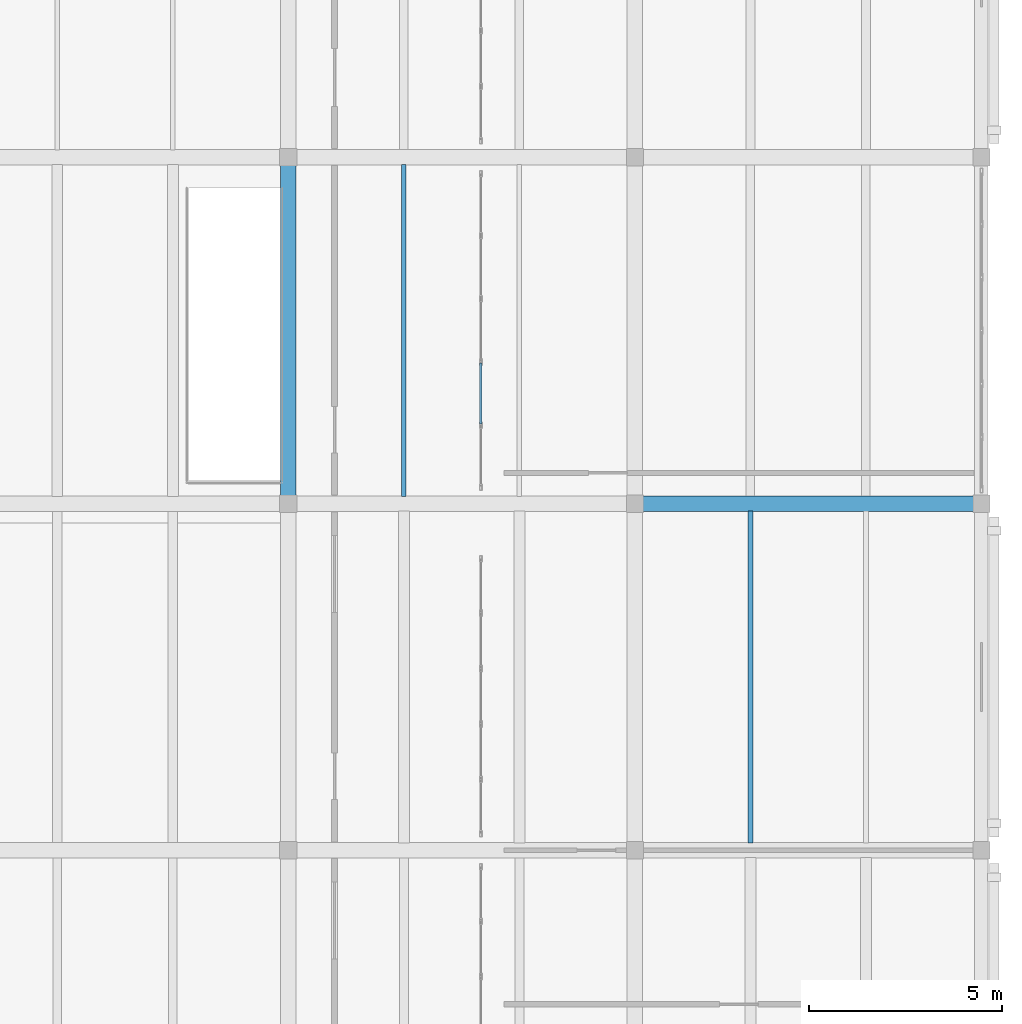
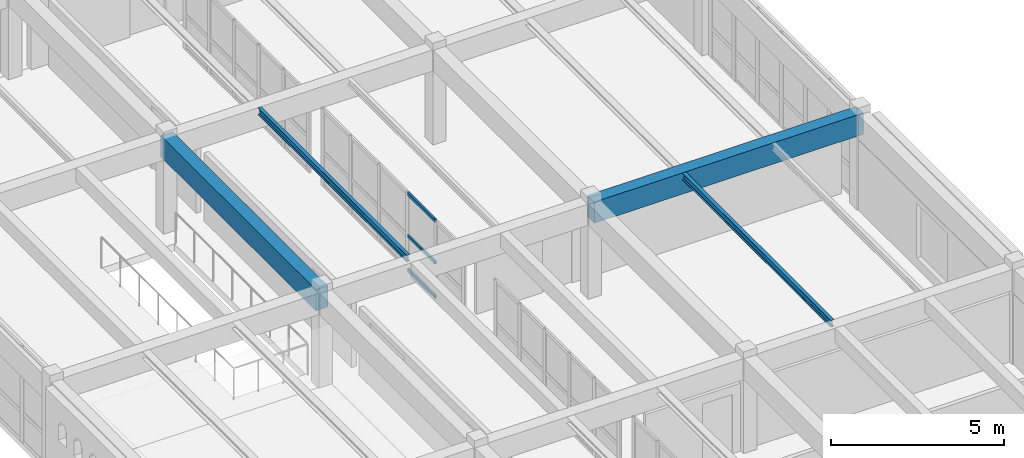
# One storey, part 42 of 80: 4 beams, 3 members, 1 element without a shape of its own.
"""IFC4 building model written with IfcOpenShell, lengths in metres."""

import ifcopenshell
import ifcopenshell.guid

model = None  # the IFC model being written
_history = None  # IfcOwnerHistory: only IFC2X3 demands one
_inside = {}  # id of a spatial element -> (the spatial element, [elements in it])
_under = {}  # id of a project, library or spatial element -> (it, [spatial elements below it])
_declared = {}  # id of a project -> (the project, [libraries it declares])
_typed = {}  # id of a type object -> (the type object, [elements of that type])
_made_of = {}  # id of a material, layer set ... -> (it, [elements and type objects made of it])


def new_model(schema):
    """Start an empty IFC model of exactly this schema.

    Asked for "IFC4X3", IfcOpenShell would pick the latest addendum, in which some entities
    have other attributes; the version numbers below select the first issue.
    IFC2X3 requires an IfcOwnerHistory on every rooted entity: one is made here for all.
    """
    global model, _history
    if schema == "IFC4X3":
        model = ifcopenshell.file(schema_version=(4, 3, 0, 0))
    else:
        model = ifcopenshell.file(schema=schema)
    _inside.clear()
    _under.clear()
    _declared.clear()
    _typed.clear()
    _made_of.clear()
    _history = None
    if model.schema == "IFC2X3":
        org = make("IfcOrganization", Name="unknown")
        user = make(
            "IfcPersonAndOrganization",
            ThePerson=make("IfcPerson", FamilyName="unknown"),
            TheOrganization=org,
        )
        app = make(
            "IfcApplication",
            ApplicationDeveloper=org,
            Version="unknown",
            ApplicationFullName="unknown",
            ApplicationIdentifier="unknown",
        )
        _history = make(
            "IfcOwnerHistory",
            OwningUser=user,
            OwningApplication=app,
            ChangeAction="ADDED",
            CreationDate=0,
        )
    return model


def make(cls, **values):
    """One entity of the class cls with the attributes given. An attribute that is None is left unset."""
    return model.create_entity(
        cls, **{name: value for name, value in values.items() if value is not None}
    )


def rooted(cls, **values):
    """An entity with a GlobalId (a new one), such as an element, a storey or a relation."""
    return make(cls, GlobalId=ifcopenshell.guid.new(), OwnerHistory=_history, **values)


def si_unit(unit_type, name, prefix=None):
    """IfcSIUnit, for example si_unit("LENGTHUNIT", "METRE", prefix="MILLI")."""
    return make("IfcSIUnit", UnitType=unit_type, Prefix=prefix, Name=name)


def assignment(units):
    """IfcUnitAssignment: the units of a project."""
    return None if units is None else make("IfcUnitAssignment", Units=units)


def point(xyz):
    """IfcCartesianPoint."""
    return None if xyz is None else make("IfcCartesianPoint", Coordinates=xyz)


def direction(xyz):
    """IfcDirection."""
    return None if xyz is None else make("IfcDirection", DirectionRatios=xyz)


def frame(location, z_axis=None, x_axis=None):
    """IfcAxis2Placement3D, a coordinate frame: its origin and axes. An axis left out is left unset."""
    return make(
        "IfcAxis2Placement3D",
        Location=point(location),
        Axis=direction(z_axis),
        RefDirection=direction(x_axis),
    )


def frame_2d(location, x_axis=None):
    """IfcAxis2Placement2D, a coordinate frame in the plane: its origin and x axis."""
    return make(
        "IfcAxis2Placement2D", Location=point(location), RefDirection=direction(x_axis)
    )


def origin():
    """The frame at (0, 0, 0) with its axes left unset."""
    return frame((0.0, 0.0, 0.0))


def origin_2d():
    """The frame at (0, 0) in the plane with its x axis left unset."""
    return frame_2d((0.0, 0.0))


def place(relative_to, where):
    """IfcLocalPlacement: puts the frame where relative to a parent placement (None: the world)."""
    return make(
        "IfcLocalPlacement", PlacementRelTo=relative_to, RelativePlacement=where
    )


def context(
    kind, dimensions, precision=None, world=None, true_north=None, identifier=None
):
    """IfcGeometricRepresentationContext, for example the 3D "Model" context."""
    return make(
        "IfcGeometricRepresentationContext",
        ContextIdentifier=identifier,
        ContextType=kind,
        CoordinateSpaceDimension=dimensions,
        Precision=precision,
        WorldCoordinateSystem=world,
        TrueNorth=true_north,
    )


def subcontext(parent, identifier, kind, view, scale=None):
    """IfcGeometricRepresentationSubContext, for example "Body" below "Model"."""
    return make(
        "IfcGeometricRepresentationSubContext",
        ContextIdentifier=identifier,
        ContextType=kind,
        ParentContext=parent,
        TargetScale=scale,
        TargetView=view,
    )


def project(units=None, contexts=None):
    """IfcProject with its units and contexts."""
    return rooted(
        "IfcProject",
        Name="project",
        RepresentationContexts=contexts,
        UnitsInContext=assignment(units),
    )


def spatial(cls, under=None, at=None, **own):
    """A site, building, storey or space (cls), placed at a placement, below another one or the project."""
    s = rooted(cls, ObjectPlacement=at, **own)
    if under is not None:
        _under.setdefault(under.id(), (under, []))[1].append(s)
    return s


def profile(cls, at=None, kind="AREA", **sizes):
    """A parametric profile (cls). Its sizes go by their IFC names, for example OverallWidth=200.0."""
    return make(cls, ProfileType=kind, Position=at, **sizes)


def rectangle(**sizes):
    """IfcRectangleProfileDef."""
    return profile("IfcRectangleProfileDef", **sizes)


def hollow_rectangle(**sizes):
    """IfcRectangleHollowProfileDef."""
    return profile("IfcRectangleHollowProfileDef", **sizes)


def i_section(**sizes):
    """IfcIShapeProfileDef."""
    return profile("IfcIShapeProfileDef", **sizes)


def extrude(swept, where, along, depth):
    """IfcExtrudedAreaSolid: the profile swept, set in the frame where, extruded along a direction by depth."""
    return make(
        "IfcExtrudedAreaSolid",
        SweptArea=swept,
        Position=where,
        ExtrudedDirection=direction(along),
        Depth=depth,
    )


def shape(context_of_items, identifier, shape_type, items):
    """IfcShapeRepresentation: the items that make up one representation, for example the "Body"."""
    return make(
        "IfcShapeRepresentation",
        ContextOfItems=context_of_items,
        RepresentationIdentifier=identifier,
        RepresentationType=shape_type,
        Items=items,
    )


def material(Name=None, Category=None):
    """IfcMaterial."""
    return make("IfcMaterial", Name=Name, Category=Category)


def layer(
    of_material, thickness, ventilated=None, Name=None, Category=None, Priority=None
):
    """IfcMaterialLayer: one layer of a wall or slab, of a material (None: an air gap)."""
    return make(
        "IfcMaterialLayer",
        Material=of_material,
        LayerThickness=thickness,
        IsVentilated=ventilated,
        Name=Name,
        Category=Category,
        Priority=Priority,
    )


def layer_set(layers, Name=None):
    """IfcMaterialLayerSet."""
    return make("IfcMaterialLayerSet", MaterialLayers=layers, LayerSetName=Name)


def material_profile(
    of_material, cross_section, Name=None, Category=None, Priority=None
):
    """IfcMaterialProfile: a cross section and its material."""
    return make(
        "IfcMaterialProfile",
        Name=Name,
        Material=of_material,
        Profile=cross_section,
        Priority=Priority,
        Category=Category,
    )


def profile_set(profiles, Name=None, composite=None):
    """IfcMaterialProfileSet."""
    return make(
        "IfcMaterialProfileSet",
        Name=Name,
        MaterialProfiles=profiles,
        CompositeProfile=composite,
    )


def made_of(thing, what):
    """Note that an element or type object is made of a material, layer set ...; save() writes the relation."""
    if what is not None:
        _made_of.setdefault(what.id(), (what, []))[1].append(thing)
    return thing


def type_object(cls, material=None, **own):
    """A type object (cls), such as IfcWallType, which elements share."""
    return made_of(rooted(cls, **own), material)


def element(
    cls,
    number,
    at=None,
    inside=None,
    cuts=None,
    type_object=None,
    material=None,
    context=None,
    identifier="Body",
    shape_type=None,
    held_by="IfcProductDefinitionShape",
    body=None,
    shapes=None,
    **own,
):
    """One element of the class cls, such as IfcWall. Its Tag is "e" and its number.

    at: its placement. inside: the storey or other place that contains it. cuts: it is an
    opening in that element (IfcRelVoidsElement). A single representation is given by context,
    identifier, shape_type and body (its items); several are given by shapes. held_by: the class
    of the entity that holds the representations. save() writes the other relations.
    """
    e = rooted(cls, Tag="e%d" % number, ObjectPlacement=at, **own)
    if body is not None:
        shapes = [shape(context, identifier, shape_type, body)]
    if shapes is not None:
        e.Representation = make(held_by, Representations=shapes)
    if inside is not None:
        _inside.setdefault(inside.id(), (inside, []))[1].append(e)
    if cuts is not None:
        rooted(
            "IfcRelVoidsElement", RelatingBuildingElement=cuts, RelatedOpeningElement=e
        )
    if type_object is not None:
        _typed.setdefault(type_object.id(), (type_object, []))[1].append(e)
    return made_of(e, material)


def aggregate(whole, parts):
    """IfcRelAggregates: a whole, such as a stair, and the parts it consists of."""
    return rooted("IfcRelAggregates", RelatingObject=whole, RelatedObjects=parts)


def save(model, path):
    """Write the relations noted so far, then the file.

    IfcRelAggregates (storeys below a building ...), IfcRelContainedInSpatialStructure (elements
    in a storey), IfcRelDefinesByType, IfcRelAssociatesMaterial and IfcRelDeclares: one each for
    every whole, place, type object, material and project.
    """
    for whole, parts in _under.values():
        aggregate(whole, parts)
    for where, things in _inside.values():
        rooted(
            "IfcRelContainedInSpatialStructure",
            RelatedElements=things,
            RelatingStructure=where,
        )
    for kind, things in _typed.values():
        rooted("IfcRelDefinesByType", RelatedObjects=things, RelatingType=kind)
    for what, things in _made_of.values():
        rooted("IfcRelAssociatesMaterial", RelatedObjects=things, RelatingMaterial=what)
    for by, libraries in _declared.values():
        rooted("IfcRelDeclares", RelatingContext=by, RelatedDefinitions=libraries)
    model.write(path)


model = new_model("IFC4")

# Units and contexts
model_context = context("Model", 3, precision=1e-05, world=origin(), true_north=direction((0.0, 1.0)))
body_context = subcontext(model_context, "Body", "Model", "MODEL_VIEW")
ifc_project = project(units=[si_unit("LENGTHUNIT", "METRE"), si_unit("AREAUNIT", "SQUARE_METRE"), si_unit("VOLUMEUNIT", "CUBIC_METRE"), si_unit("PLANEANGLEUNIT", "RADIAN"), si_unit("MASSUNIT", "GRAM", prefix="KILO")], contexts=[model_context])

# Site, building, storey
site_placement = place(None, origin())
site = spatial("IfcSite", under=ifc_project, at=site_placement, CompositionType="ELEMENT")
building_placement = place(site_placement, origin())
building = spatial("IfcBuilding", under=site, at=building_placement, Name="Ornek Quay Market", CompositionType="ELEMENT")
storey_placement = place(building_placement, frame((0.0, 0.0, 8.39990234375)))
storey = spatial("IfcBuildingStorey", under=building, at=storey_placement, Name="L02", CompositionType="ELEMENT", Elevation=8.39990234375)

# Beams
ifc_material_1 = material(Name="Concrete C35/45", Category="concrete")
ifc_material_profile_1 = material_profile(ifc_material_1, rectangle(XDim=0.39990234375, YDim=0.75, at=origin_2d()), Name="RC 400x750", Category="concrete")
ifc_profile_set_1 = profile_set([ifc_material_profile_1], Name="Concrete C35/45")
beam_type_1 = type_object("IfcBeamType", Name="BM-CS-400x750", PredefinedType="BEAM", material=ifc_profile_set_1)
for number, where, z_axis, x_axis, name in (
    (1, (171.0, 47.0, 2.97509765625), (1.0, 0.0, 0.0), (0.0, 1.0, 0.0), "Primary beam B-CS1-065"),
    (2, (162.0, 47.0, 2.97509765625), (0.0, 1.0, 0.0), (-1.0, 0.0, 0.0), "Primary beam B-CS1-073"),
):
    element("IfcBeam", number, at=place(storey_placement, frame(where, z_axis=z_axis, x_axis=x_axis)), inside=storey, type_object=beam_type_1, Name=name, PredefinedType="BEAM", context=body_context, shape_type="SweptSolid", body=[
        extrude(rectangle(XDim=0.39990234375, YDim=0.75, at=origin_2d()), origin(), (0.0, 0.0, 1.0), 9.0),
    ])
ifc_material_2 = material(Name="Steel S355", Category="steel")
ifc_material_profile_2 = material_profile(ifc_material_2, i_section(OverallWidth=0.1201171875, OverallDepth=0.239990234375, WebThickness=0.006103515625, FlangeThickness=0.009765625, FilletRadius=0.014892578125, at=origin_2d()), Name="IPE 240", Category="steel")
ifc_profile_set_2 = profile_set([ifc_material_profile_2], Name="Steel S355")
beam_type_2 = type_object("IfcBeamType", Name="BM-STL-IPE240", PredefinedType="JOIST", material=ifc_profile_set_2)
for number, where, z_axis, x_axis, name in (
    (3, (165.0, 47.19189453125, 3.22998046875), (0.0, 1.0, 0.0), (-1.0, 0.0, 0.0), "Secondary joist SB-04-059"),
    (4, (174.0, 38.19189453125, 3.22998046875), (0.0, 1.0, 0.0), (-1.0, 0.0, 0.0), "Secondary joist SB-04-061"),
):
    element("IfcBeam", number, at=place(storey_placement, frame(where, z_axis=z_axis, x_axis=x_axis)), inside=storey, type_object=beam_type_2, Name=name, PredefinedType="JOIST", context=body_context, shape_type="SweptSolid", body=[
        extrude(i_section(OverallWidth=0.1201171875, OverallDepth=0.239990234375, WebThickness=0.006103515625, FlangeThickness=0.009765625, FilletRadius=0.014892578125, at=origin_2d()), origin(), (0.0, 0.0, 1.0), 8.6162109375),
    ])

# Curtain wall, members
ifc_material_3 = material(Name="Anodised bronze aluminium and triple low-e glass", Category="aluminium")
ifc_layer = layer(ifc_material_3, 0.139892578125, Name="Anodised bronze aluminium and triple low-e glass", Category="aluminium")
ifc_layer_set = layer_set([ifc_layer], Name="Anodised bronze aluminium and triple low-e glass")
curtain_wall_type = type_object("IfcCurtainWallType", Name="CW-GALLERY-INT", PredefinedType="USERDEFINED", material=ifc_layer_set)
curtain_wall_placement = place(storey_placement, origin())
curtain_wall = element("IfcCurtainWall", 5, at=curtain_wall_placement, inside=storey, type_object=curtain_wall_type, Name="Curtain wall CW-169", ObjectType="CURTAIN WALL", PredefinedType="USERDEFINED")
ifc_material_4 = material(Name="Anodised aluminium 6063-T6", Category="aluminium")
ifc_material_profile_3 = material_profile(ifc_material_4, hollow_rectangle(XDim=0.06005859375, YDim=0.1201171875, WallThickness=0.00390625, at=origin_2d()), Name="CW-TRN-60x120", Category="aluminium")
ifc_profile_set_3 = profile_set([ifc_material_profile_3], Name="Anodised aluminium 6063-T6")
member_type = type_object("IfcMemberType", Name="CW-TRN-60x120", PredefinedType="USERDEFINED", material=ifc_profile_set_3)
member_1_placement = place(storey_placement, frame((167.0, 49.070068359375, 0.030029296875), z_axis=(0.0, 1.0, 0.0), x_axis=(-1.0, 0.0, 0.0)))
member_1 = element("IfcMember", 6, at=member_1_placement, type_object=member_type, Name="CW-169 transom 2.1", ObjectType="TRANSOM", PredefinedType="USERDEFINED", context=body_context, shape_type="SweptSolid", body=[
    extrude(hollow_rectangle(XDim=0.06005859375, YDim=0.1201171875, WallThickness=0.00390625, at=origin_2d()), origin(), (0.0, 0.0, 1.0), 1.579833984375),
])
member_2_placement = place(storey_placement, frame((167.0, 49.070068359375, 1.237548828125), z_axis=(0.0, 1.0, 0.0), x_axis=(-1.0, 0.0, 0.0)))
member_2 = element("IfcMember", 7, at=member_2_placement, type_object=member_type, Name="CW-169 transom 2.2", ObjectType="TRANSOM", PredefinedType="USERDEFINED", context=body_context, shape_type="SweptSolid", body=[
    extrude(hollow_rectangle(XDim=0.06005859375, YDim=0.1201171875, WallThickness=0.00390625, at=origin_2d()), origin(), (0.0, 0.0, 1.0), 1.579833984375),
])
member_3_placement = place(storey_placement, frame((167.0, 49.070068359375, 2.72021484375), z_axis=(0.0, 1.0, 0.0), x_axis=(-1.0, 0.0, 0.0)))
member_3 = element("IfcMember", 8, at=member_3_placement, type_object=member_type, Name="CW-169 transom 2.3", ObjectType="TRANSOM", PredefinedType="USERDEFINED", context=body_context, shape_type="SweptSolid", body=[
    extrude(hollow_rectangle(XDim=0.06005859375, YDim=0.1201171875, WallThickness=0.00390625, at=origin_2d()), origin(), (0.0, 0.0, 1.0), 1.579833984375),
])
aggregate(curtain_wall, [member_1, member_2, member_3])

save(model, "model.ifc")
